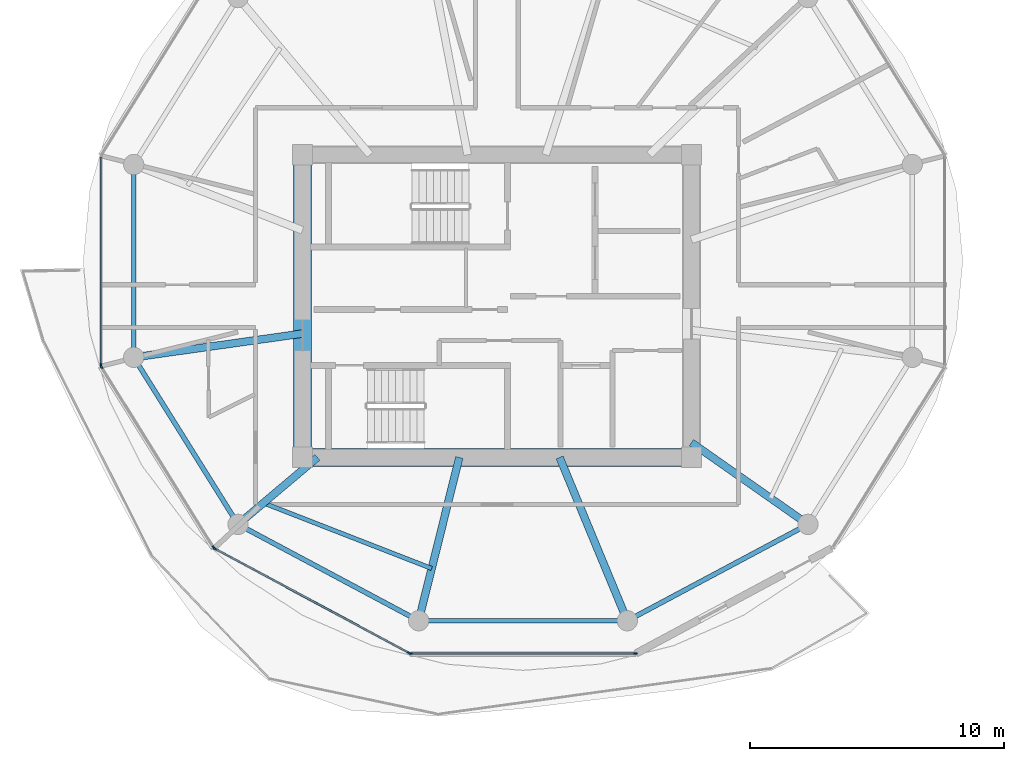
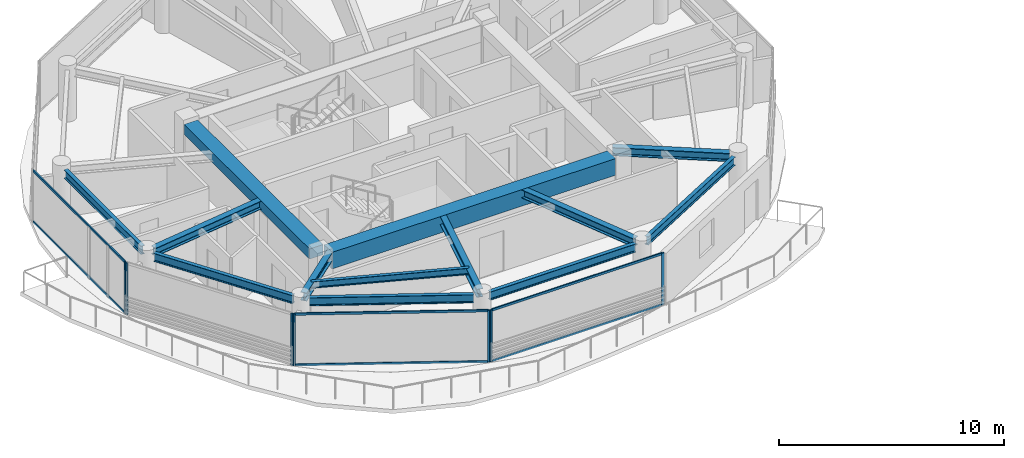
# One storey, part 2 of 23: 13 beams, 13 members, 4 elements without a shape of their own.
"""IFC4 building model written with IfcOpenShell, lengths in metres."""

from ifc_helpers import new_model, si_unit, direction, frame, origin, origin_2d, place, context, subcontext, project, spatial, rectangle, i_section, extrude, source, transform, mapped, material, layer, layer_set, material_profile, profile_set, type_object, type_shapes, element, aggregate, save


model = new_model("IFC4")

# Units and contexts
model_context = context("Model", 3, precision=1e-05, world=origin(), true_north=direction((0.0, 1.0)))
body_context = subcontext(model_context, "Body", "Model", "MODEL_VIEW")
ifc_project = project(units=[si_unit("LENGTHUNIT", "METRE"), si_unit("AREAUNIT", "SQUARE_METRE"), si_unit("VOLUMEUNIT", "CUBIC_METRE"), si_unit("PLANEANGLEUNIT", "RADIAN"), si_unit("MASSUNIT", "GRAM", prefix="KILO")], contexts=[model_context])

# Site, building, storey
site_placement = place(None, origin())
site = spatial("IfcSite", under=ifc_project, at=site_placement, CompositionType="ELEMENT")
building_placement = place(site_placement, origin())
building = spatial("IfcBuilding", under=site, at=building_placement, Name="Norrkilde Senior Care Towers", CompositionType="ELEMENT")
storey_placement = place(building_placement, frame((0.0, 0.0, 173.949951171875)))
storey = spatial("IfcBuildingStorey", under=building, at=storey_placement, Name="L54", CompositionType="ELEMENT", Elevation=173.949951171875)

# Beams
ifc_material_1 = material(Name="Concrete C60/75", Category="concrete")
ifc_material_profile_1 = material_profile(ifc_material_1, rectangle(XDim=0.699951171875, YDim=0.89990234375, at=origin_2d()), Name="RC BM 700x900")
ifc_profile_set_1 = profile_set([ifc_material_profile_1], Name="Concrete C60/75")
beam_type_1 = type_object("IfcBeamType", Name="Core Coupling Girder 700x900", PredefinedType="USERDEFINED", material=ifc_profile_set_1)
shared_shape_1 = source(origin(), body_context, "Body", "SweptSolid", [
    extrude(rectangle(XDim=0.699951171875, YDim=0.89990234375, at=origin_2d()), origin(), (0.0, 0.0, 1.0), 14.5400390625),
])
type_shapes(beam_type_1, [shared_shape_1])
beam_1_placement = place(storey_placement, frame((-35.27001953125, -5.949951171875, 2.360107421875), z_axis=(1.0, 0.0, 0.0), x_axis=(0.0, 1.0, 0.0)))
element("IfcBeam", 1, at=beam_1_placement, inside=storey, type_object=beam_type_1, Name="L54 Core W S Coupling Girder", ObjectType="GIRDER", PredefinedType="USERDEFINED", context=body_context, shape_type="MappedRepresentation", body=[
    mapped(shared_shape_1, transform((0.0, 0.0, 0.0), x_axis=(1.0, 0.0, 0.0), y_axis=(0.0, 1.0, 0.0), z_axis=(0.0, 0.0, 1.0), scale=1.0)),
])
ifc_material_profile_2 = material_profile(ifc_material_1, rectangle(XDim=0.699951171875, YDim=0.550048828125, at=origin_2d()), Name="RC BM 700x550")
ifc_profile_set_2 = profile_set([ifc_material_profile_2], Name="Concrete C60/75")
beam_type_2 = type_object("IfcBeamType", Name="Core Portal Coupling Beam 700x550", PredefinedType="USERDEFINED", material=ifc_profile_set_2)
shared_shape_2 = source(origin(), body_context, "Body", "SweptSolid", [
    extrude(rectangle(XDim=0.699951171875, YDim=0.550048828125, at=origin_2d()), origin(), (0.0, 0.0, 1.0), 11.14013671875),
])
type_shapes(beam_type_2, [shared_shape_2])
beam_2_placement = place(storey_placement, frame((-35.64990234375, -5.570068359375, 2.53515625), z_axis=(0.0, 1.0, 0.0), x_axis=(-1.0, 0.0, 0.0)))
element("IfcBeam", 2, at=beam_2_placement, inside=storey, type_object=beam_type_2, Name="L54 Core W W Coupling Girder", ObjectType="GIRDER", PredefinedType="USERDEFINED", context=body_context, shape_type="MappedRepresentation", body=[
    mapped(shared_shape_2, transform((0.0, 0.0, 0.0), x_axis=(1.0, 0.0, 0.0), y_axis=(0.0, 1.0, 0.0), z_axis=(0.0, 0.0, 1.0), scale=1.0)),
])
ifc_material_2 = material(Name="Steel S355", Category="steel")
ifc_material_profile_3 = material_profile(ifc_material_2, i_section(OverallWidth=0.18994140625, OverallDepth=0.449951171875, WebThickness=0.009521484375, FlangeThickness=0.0146484375, FilletRadius=0.02099609375, at=origin_2d()), Name="IPE 450")
ifc_profile_set_3 = profile_set([ifc_material_profile_3], Name="Steel S355")
beam_type_3 = type_object("IfcBeamType", Name="Perimeter Ring Spandrel Z3 IPE450", PredefinedType="SPANDREL", material=ifc_profile_set_3)
shared_shape_3 = source(origin(), body_context, "Body", "SweptSolid", [
    extrude(i_section(OverallWidth=0.18994140625, OverallDepth=0.449951171875, WebThickness=0.009521484375, FlangeThickness=0.0146484375, FilletRadius=0.02099609375, at=origin_2d()), origin(), (0.0, 0.0, 1.0), 7.484619140625),
])
beam_3_placement = place(storey_placement, frame((-30.71728515625, -12.37548828125, 2.5849609375), z_axis=(1.0, 0.0, 0.0), x_axis=(0.0, 1.0, 0.0)))
element("IfcBeam", 3, at=beam_3_placement, inside=storey, type_object=beam_type_3, Name="L54 Drum W Perimeter Spandrel 09", PredefinedType="SPANDREL", context=body_context, shape_type="MappedRepresentation", body=[
    mapped(shared_shape_3, transform((0.0, 0.0, 0.0), x_axis=(1.0, 0.0, 0.0), y_axis=(0.0, 1.0, 0.0), z_axis=(0.0, 0.0, 1.0), scale=1.0)),
])
shared_shape_4 = source(origin(), body_context, "Body", "SweptSolid", [
    extrude(i_section(OverallWidth=0.18994140625, OverallDepth=0.449951171875, WebThickness=0.009521484375, FlangeThickness=0.0146484375, FilletRadius=0.02099609375, at=origin_2d()), origin(), (0.0, 0.0, 1.0), 6.86328125),
])
beam_4_placement = place(storey_placement, frame((-42.284912109375, 5.20703125, 2.5849609375), z_axis=(0.0, -1.0, 0.0), x_axis=(1.0, 0.0, 0.0)))
element("IfcBeam", 4, at=beam_4_placement, inside=storey, type_object=beam_type_3, Name="L54 Drum W Perimeter Spandrel 06", PredefinedType="SPANDREL", context=body_context, shape_type="MappedRepresentation", body=[
    mapped(shared_shape_4, transform((0.0, 0.0, 0.0), x_axis=(1.0, 0.0, 0.0), y_axis=(0.0, 1.0, 0.0), z_axis=(0.0, 0.0, 1.0), scale=1.0)),
])
shared_shape_5 = source(origin(), body_context, "Body", "SweptSolid", [
    extrude(i_section(OverallWidth=0.18994140625, OverallDepth=0.449951171875, WebThickness=0.009521484375, FlangeThickness=0.0146484375, FilletRadius=0.02099609375, at=origin_2d()), origin(), (0.0, 0.0, 1.0), 7.023193359375),
])
beam_5_placement = place(storey_placement, frame((-42.09423828125, -2.32177734375, 2.5849609375), z_axis=(0.529805197269, -0.848119362441, 0.0), x_axis=(0.848119362441, 0.529805197269, 0.0)))
element("IfcBeam", 5, at=beam_5_placement, inside=storey, type_object=beam_type_3, Name="L54 Drum W Perimeter Spandrel 07", PredefinedType="SPANDREL", context=body_context, shape_type="MappedRepresentation", body=[
    mapped(shared_shape_5, transform((0.0, 0.0, 0.0), x_axis=(1.0, 0.0, 0.0), y_axis=(0.0, 1.0, 0.0), z_axis=(0.0, 0.0, 1.0), scale=1.0)),
])
ifc_material_profile_4 = material_profile(ifc_material_2, i_section(OverallWidth=0.300048828125, OverallDepth=0.449951171875, WebThickness=0.013916015625, FlangeThickness=0.02587890625, FilletRadius=0.027099609375, at=origin_2d()), Name="HEB 450")
ifc_profile_set_4 = profile_set([ifc_material_profile_4], Name="Steel S355")
beam_type_4 = type_object("IfcBeamType", Name="Radial Floor Beam Z3 HEB450", PredefinedType="BEAM", material=ifc_profile_set_4)
shared_shape_6 = source(origin(), body_context, "Body", "SweptSolid", [
    extrude(i_section(OverallWidth=0.300048828125, OverallDepth=0.449951171875, WebThickness=0.013916015625, FlangeThickness=0.02587890625, FilletRadius=0.027099609375, at=origin_2d()), origin(), (0.0, 0.0, 1.0), 6.3408203125),
])
beam_6_placement = place(storey_placement, frame((-35.64990234375, -1.079833984375, 2.5849609375), z_axis=(-0.990184519576, -0.139766294905, 0.0), x_axis=(0.139766294905, -0.990184519576, 0.0)))
element("IfcBeam", 6, at=beam_6_placement, inside=storey, type_object=beam_type_4, Name="L54 Drum W Radial Floor Beam 07", PredefinedType="BEAM", context=body_context, shape_type="MappedRepresentation", body=[
    mapped(shared_shape_6, transform((0.0, 0.0, 0.0), x_axis=(1.0, 0.0, 0.0), y_axis=(0.0, 1.0, 0.0), z_axis=(0.0, 0.0, 1.0), scale=1.0)),
])
shared_shape_7 = source(origin(), body_context, "Body", "SweptSolid", [
    extrude(i_section(OverallWidth=0.18994140625, OverallDepth=0.449951171875, WebThickness=0.009521484375, FlangeThickness=0.0146484375, FilletRadius=0.02099609375, at=origin_2d()), origin(), (0.0, 0.0, 1.0), 7.333984375),
])
type_shapes(beam_type_3, [shared_shape_3, shared_shape_4, shared_shape_5, shared_shape_7])
for number, where, z_axis, x_axis, name in (
    (7, (-37.864990234375, -8.753173828125, 2.5849609375), (0.882234038987, -0.470811109101, 0.0), (0.470811109101, 0.882234038987, 0.0), "L54 Drum W Perimeter Spandrel 08"),
    (8, (-22.55517578125, -12.2060546875, 2.5849609375), (0.882234038987, 0.470811109101, 0.0), (-0.470811109101, 0.882234038987, 0.0), "L54 Drum W Perimeter Spandrel 10"),
):
    element("IfcBeam", number, at=place(storey_placement, frame(where, z_axis=z_axis, x_axis=x_axis)), inside=storey, type_object=beam_type_3, Name=name, PredefinedType="SPANDREL", context=body_context, shape_type="MappedRepresentation", body=[
        mapped(shared_shape_7, transform((0.0, 0.0, 0.0), x_axis=(1.0, 0.0, 0.0), y_axis=(0.0, 1.0, 0.0), z_axis=(0.0, 0.0, 1.0), scale=1.0)),
    ])
shared_shape_8 = source(origin(), body_context, "Body", "SweptSolid", [
    extrude(i_section(OverallWidth=0.300048828125, OverallDepth=0.449951171875, WebThickness=0.013916015625, FlangeThickness=0.02587890625, FilletRadius=0.027099609375, at=origin_2d()), origin(), (0.0, 0.0, 1.0), 3.7265625),
])
beam_7_placement = place(storey_placement, frame((-35.058349609375, -5.949951171875, 2.5849609375), z_axis=(-0.764567902106, -0.644543189453, 0.0), x_axis=(0.644543189453, -0.764567902106, 0.0)))
element("IfcBeam", 9, at=beam_7_placement, inside=storey, type_object=beam_type_4, Name="L54 Drum W Radial Floor Beam 08", PredefinedType="BEAM", context=body_context, shape_type="MappedRepresentation", body=[
    mapped(shared_shape_8, transform((0.0, 0.0, 0.0), x_axis=(1.0, 0.0, 0.0), y_axis=(0.0, 1.0, 0.0), z_axis=(0.0, 0.0, 1.0), scale=1.0)),
])
shared_shape_9 = source(origin(), body_context, "Body", "SweptSolid", [
    extrude(i_section(OverallWidth=0.300048828125, OverallDepth=0.449951171875, WebThickness=0.013916015625, FlangeThickness=0.02587890625, FilletRadius=0.027099609375, at=origin_2d()), origin(), (0.0, 0.0, 1.0), 6.26123046875),
])
beam_8_placement = place(storey_placement, frame((-29.4794921875, -5.949951171875, 2.5849609375), z_axis=(-0.241324375921, -0.970444509277, 0.0), x_axis=(0.970444509277, -0.241324375921, 0.0)))
element("IfcBeam", 10, at=beam_8_placement, inside=storey, type_object=beam_type_4, Name="L54 Drum W Radial Floor Beam 09", PredefinedType="BEAM", context=body_context, shape_type="MappedRepresentation", body=[
    mapped(shared_shape_9, transform((0.0, 0.0, 0.0), x_axis=(1.0, 0.0, 0.0), y_axis=(0.0, 1.0, 0.0), z_axis=(0.0, 0.0, 1.0), scale=1.0)),
])
shared_shape_10 = source(origin(), body_context, "Body", "SweptSolid", [
    extrude(i_section(OverallWidth=0.300048828125, OverallDepth=0.449951171875, WebThickness=0.013916015625, FlangeThickness=0.02587890625, FilletRadius=0.027099609375, at=origin_2d()), origin(), (0.0, 0.0, 1.0), 6.59521484375),
])
beam_9_placement = place(storey_placement, frame((-25.534912109375, -5.949951171875, 2.5849609375), z_axis=(0.382761541363, -0.923847174836, 0.0), x_axis=(0.923847174836, 0.382761541363, 0.0)))
element("IfcBeam", 11, at=beam_9_placement, inside=storey, type_object=beam_type_4, Name="L54 Drum W Radial Floor Beam 10", PredefinedType="BEAM", context=body_context, shape_type="MappedRepresentation", body=[
    mapped(shared_shape_10, transform((0.0, 0.0, 0.0), x_axis=(1.0, 0.0, 0.0), y_axis=(0.0, 1.0, 0.0), z_axis=(0.0, 0.0, 1.0), scale=1.0)),
])
shared_shape_11 = source(origin(), body_context, "Body", "SweptSolid", [
    extrude(i_section(OverallWidth=0.300048828125, OverallDepth=0.449951171875, WebThickness=0.013916015625, FlangeThickness=0.02587890625, FilletRadius=0.027099609375, at=origin_2d()), origin(), (0.0, 0.0, 1.0), 5.23828125),
])
type_shapes(beam_type_4, [shared_shape_6, shared_shape_8, shared_shape_9, shared_shape_10, shared_shape_11])
beam_10_placement = place(storey_placement, frame((-20.35009765625, -5.3681640625, 2.5849609375), z_axis=(0.818592061291, -0.574375345215, 0.0), x_axis=(0.574375345215, 0.818592061291, 0.0)))
element("IfcBeam", 12, at=beam_10_placement, inside=storey, type_object=beam_type_4, Name="L54 Drum W Radial Floor Beam 11", PredefinedType="BEAM", context=body_context, shape_type="MappedRepresentation", body=[
    mapped(shared_shape_11, transform((0.0, 0.0, 0.0), x_axis=(1.0, 0.0, 0.0), y_axis=(0.0, 1.0, 0.0), z_axis=(0.0, 0.0, 1.0), scale=1.0)),
])
ifc_material_profile_5 = material_profile(ifc_material_2, i_section(OverallWidth=0.169921875, OverallDepth=0.360107421875, WebThickness=0.008056640625, FlangeThickness=0.0126953125, FilletRadius=0.01806640625, at=origin_2d()), Name="IPE 360")
ifc_profile_set_5 = profile_set([ifc_material_profile_5], Name="Steel S355")
beam_type_5 = type_object("IfcBeamType", Name="Secondary Floor Joist IPE360", PredefinedType="JOIST", material=ifc_profile_set_5)
shared_shape_12 = source(origin(), body_context, "Body", "SweptSolid", [
    extrude(i_section(OverallWidth=0.169921875, OverallDepth=0.360107421875, WebThickness=0.008056640625, FlangeThickness=0.0126953125, FilletRadius=0.01806640625, at=origin_2d()), origin(), (0.0, 0.0, 1.0), 7.1015625),
])
type_shapes(beam_type_5, [shared_shape_12])
beam_11_placement = place(storey_placement, frame((-37.182861328125, -7.740966796875, 2.630126953125), z_axis=(0.931761231292, -0.363071629106, 0.0), x_axis=(0.363071629106, 0.931761231292, 0.0)))
element("IfcBeam", 13, at=beam_11_placement, inside=storey, type_object=beam_type_5, Name="L54 Drum W Secondary Floor Joist 3", PredefinedType="JOIST", context=body_context, shape_type="MappedRepresentation", body=[
    mapped(shared_shape_12, transform((0.0, 0.0, 0.0), x_axis=(1.0, 0.0, 0.0), y_axis=(0.0, 1.0, 0.0), z_axis=(0.0, 0.0, 1.0), scale=1.0)),
])

# Curtain wall, member
ifc_material_3 = material(Name="Triple Low-E Insulated Glazing", Category="glass")
ifc_layer = layer(ifc_material_3, 0.18994140625)
ifc_layer_set = layer_set([ifc_layer], Name="Triple Low-E Insulated Glazing")
curtain_wall_type = type_object("IfcCurtainWallType", Name="CW4 Zone 3 Senior Residence Curtain Wall", PredefinedType="NOTDEFINED", material=ifc_layer_set)
curtain_wall_1_placement = place(storey_placement, origin())
curtain_wall_1 = element("IfcCurtainWall", 14, at=curtain_wall_1_placement, inside=storey, type_object=curtain_wall_type, Name="L54 Drum W Curtain Wall 05", PredefinedType="NOTDEFINED")
ifc_material_4 = material(Name="Anodised Aluminium", Category="aluminium")
ifc_material_profile_6 = material_profile(ifc_material_4, rectangle(XDim=0.06494140625, YDim=0.14990234375, at=origin_2d()), Name="ALU MULL 65x150")
ifc_profile_set_6 = profile_set([ifc_material_profile_6], Name="Anodised Aluminium")
member_type_1 = type_object("IfcMemberType", Name="Curtain Wall Mullion Z3-Z4 65x150", PredefinedType="MULLION", material=ifc_profile_set_6)
shared_shape_13 = source(origin(), body_context, "Body", "SweptSolid", [
    extrude(rectangle(XDim=0.06494140625, YDim=0.14990234375, at=origin_2d()), origin(), (0.0, 0.0, 1.0), 2.81005859375),
])
type_shapes(member_type_1, [shared_shape_13])
member_1_placement = place(storey_placement, frame((-43.569580078125, -2.328125, 0.0), z_axis=(0.0, 0.0, 1.0), x_axis=(-1.0, 0.0, 0.0)))
member_1 = element("IfcMember", 15, at=member_1_placement, type_object=member_type_1, Name="CW-4 mullion 1", PredefinedType="MULLION", context=body_context, shape_type="MappedRepresentation", body=[
    mapped(shared_shape_13, transform((0.0, 0.0, 0.0), x_axis=(1.0, 0.0, 0.0), y_axis=(0.0, 1.0, 0.0), z_axis=(0.0, 0.0, 1.0), scale=1.0)),
])

# Curtain wall, members
curtain_wall_2_placement = place(storey_placement, origin())
curtain_wall_2 = element("IfcCurtainWall", 16, at=curtain_wall_2_placement, inside=storey, type_object=curtain_wall_type, Name="L54 Drum W Curtain Wall 06", PredefinedType="NOTDEFINED")
member_2_placement = place(storey_placement, frame((-39.14013671875, -9.49658203125, 0.0), z_axis=(0.0, 0.0, 1.0), x_axis=(-0.84963405474, -0.52737270789, 0.0)))
member_2 = element("IfcMember", 17, at=member_2_placement, type_object=member_type_1, Name="CW-4 mullion 1", PredefinedType="MULLION", context=body_context, shape_type="MappedRepresentation", body=[
    mapped(shared_shape_13, transform((0.0, 0.0, 0.0), x_axis=(1.0, 0.0, 0.0), y_axis=(0.0, 1.0, 0.0), z_axis=(0.0, 0.0, 1.0), scale=1.0)),
])
member_3_placement = place(storey_placement, frame((-43.552490234375, -2.38818359375, 0.0), z_axis=(0.0, 0.0, 1.0), x_axis=(-0.84963405474, -0.52737270789, 0.0)))
member_3 = element("IfcMember", 18, at=member_3_placement, type_object=member_type_1, Name="CW-4 mullion 2", PredefinedType="MULLION", context=body_context, shape_type="MappedRepresentation", body=[
    mapped(shared_shape_13, transform((0.0, 0.0, 0.0), x_axis=(1.0, 0.0, 0.0), y_axis=(0.0, 1.0, 0.0), z_axis=(0.0, 0.0, 1.0), scale=1.0)),
])
aggregate(curtain_wall_2, [member_2, member_3])

curtain_wall_3_placement = place(storey_placement, origin())
curtain_wall_3 = element("IfcCurtainWall", 19, at=curtain_wall_3_placement, inside=storey, type_object=curtain_wall_type, Name="L54 Drum W Curtain Wall 07", PredefinedType="NOTDEFINED")
member_4_placement = place(storey_placement, frame((-31.4501953125, -13.644775390625, 0.0), z_axis=(0.0, 0.0, 1.0), x_axis=(-0.47311715104, -0.880999524059, 0.0)))
member_4 = element("IfcMember", 20, at=member_4_placement, type_object=member_type_1, Name="CW-4 mullion 1", PredefinedType="MULLION", context=body_context, shape_type="MappedRepresentation", body=[
    mapped(shared_shape_13, transform((0.0, 0.0, 0.0), x_axis=(1.0, 0.0, 0.0), y_axis=(0.0, 1.0, 0.0), z_axis=(0.0, 0.0, 1.0), scale=1.0)),
])
member_5_placement = place(storey_placement, frame((-39.094482421875, -9.53955078125, 0.0), z_axis=(0.0, 0.0, 1.0), x_axis=(-0.47311715104, -0.880999524059, 0.0)))
member_5 = element("IfcMember", 21, at=member_5_placement, type_object=member_type_1, Name="CW-4 mullion 2", PredefinedType="MULLION", context=body_context, shape_type="MappedRepresentation", body=[
    mapped(shared_shape_13, transform((0.0, 0.0, 0.0), x_axis=(1.0, 0.0, 0.0), y_axis=(0.0, 1.0, 0.0), z_axis=(0.0, 0.0, 1.0), scale=1.0)),
])

curtain_wall_4_placement = place(storey_placement, origin())
curtain_wall_4 = element("IfcCurtainWall", 22, at=curtain_wall_4_placement, inside=storey, type_object=curtain_wall_type, Name="L54 Drum W Curtain Wall 08", PredefinedType="NOTDEFINED")
member_6_placement = place(storey_placement, frame((-22.56103515625, -13.66015625, 0.0), z_axis=(0.0, 0.0, 1.0), x_axis=(0.0, -1.0, 0.0)))
member_6 = element("IfcMember", 23, at=member_6_placement, type_object=member_type_1, Name="CW-4 mullion 1", PredefinedType="MULLION", context=body_context, shape_type="MappedRepresentation", body=[
    mapped(shared_shape_13, transform((0.0, 0.0, 0.0), x_axis=(1.0, 0.0, 0.0), y_axis=(0.0, 1.0, 0.0), z_axis=(0.0, 0.0, 1.0), scale=1.0)),
])
member_7_placement = place(storey_placement, frame((-31.388916015625, -13.66015625, 0.0), z_axis=(0.0, 0.0, 1.0), x_axis=(0.0, -1.0, 0.0)))
member_7 = element("IfcMember", 24, at=member_7_placement, type_object=member_type_1, Name="CW-4 mullion 2", PredefinedType="MULLION", context=body_context, shape_type="MappedRepresentation", body=[
    mapped(shared_shape_13, transform((0.0, 0.0, 0.0), x_axis=(1.0, 0.0, 0.0), y_axis=(0.0, 1.0, 0.0), z_axis=(0.0, 0.0, 1.0), scale=1.0)),
])
ifc_material_profile_7 = material_profile(ifc_material_4, rectangle(XDim=0.06005859375, YDim=0.1201171875, at=origin_2d()), Name="ALU TRAN 60x120")
ifc_profile_set_7 = profile_set([ifc_material_profile_7], Name="Anodised Aluminium")
member_type_2 = type_object("IfcMemberType", Name="Curtain Wall Transom Typical 60x120", PredefinedType="USERDEFINED", material=ifc_profile_set_7)
shared_shape_14 = source(origin(), body_context, "Body", "SweptSolid", [
    extrude(rectangle(XDim=0.06005859375, YDim=0.1201171875, at=origin_2d()), origin(), (0.0, 0.0, 1.0), 8.762939453125),
])
member_8_placement = place(storey_placement, frame((-22.593505859375, -13.66015625, 0.030029296875), z_axis=(-1.0, 0.0, 0.0), x_axis=(0.0, -1.0, 0.0)))
member_8 = element("IfcMember", 25, at=member_8_placement, type_object=member_type_2, Name="CW-4 transom 1.1", ObjectType="TRANSOM", PredefinedType="USERDEFINED", context=body_context, shape_type="MappedRepresentation", body=[
    mapped(shared_shape_14, transform((0.0, 0.0, 0.0), x_axis=(1.0, 0.0, 0.0), y_axis=(0.0, 1.0, 0.0), z_axis=(0.0, 0.0, 1.0), scale=1.0)),
])
member_9_placement = place(storey_placement, frame((-22.593505859375, -13.66015625, 2.780029296875), z_axis=(-1.0, 0.0, 0.0), x_axis=(0.0, -1.0, 0.0)))
member_9 = element("IfcMember", 26, at=member_9_placement, type_object=member_type_2, Name="CW-4 transom 1.2", ObjectType="TRANSOM", PredefinedType="USERDEFINED", context=body_context, shape_type="MappedRepresentation", body=[
    mapped(shared_shape_14, transform((0.0, 0.0, 0.0), x_axis=(1.0, 0.0, 0.0), y_axis=(0.0, 1.0, 0.0), z_axis=(0.0, 0.0, 1.0), scale=1.0)),
])
aggregate(curtain_wall_4, [member_6, member_7, member_8, member_9])

# Member
shared_shape_15 = source(origin(), body_context, "Body", "SweptSolid", [
    extrude(rectangle(XDim=0.06005859375, YDim=0.1201171875, at=origin_2d()), origin(), (0.0, 0.0, 1.0), 8.612060546875),
])
member_10_placement = place(storey_placement, frame((-31.478759765625, -13.62939453125, 0.030029296875), z_axis=(-0.881000337462, 0.473115636384, 0.0), x_axis=(-0.473115636384, -0.881000337462, 0.0)))
member_10 = element("IfcMember", 27, at=member_10_placement, type_object=member_type_2, Name="CW-4 transom 1.1", ObjectType="TRANSOM", PredefinedType="USERDEFINED", context=body_context, shape_type="MappedRepresentation", body=[
    mapped(shared_shape_15, transform((0.0, 0.0, 0.0), x_axis=(1.0, 0.0, 0.0), y_axis=(0.0, 1.0, 0.0), z_axis=(0.0, 0.0, 1.0), scale=1.0)),
])

member_11_placement = place(storey_placement, frame((-31.478759765625, -13.62939453125, 2.780029296875), z_axis=(-0.881000337462, 0.473115636384, 0.0), x_axis=(-0.473115636384, -0.881000337462, 0.0)))
member_11 = element("IfcMember", 28, at=member_11_placement, type_object=member_type_2, Name="CW-4 transom 1.2", ObjectType="TRANSOM", PredefinedType="USERDEFINED", context=body_context, shape_type="MappedRepresentation", body=[
    mapped(shared_shape_15, transform((0.0, 0.0, 0.0), x_axis=(1.0, 0.0, 0.0), y_axis=(0.0, 1.0, 0.0), z_axis=(0.0, 0.0, 1.0), scale=1.0)),
])

aggregate(curtain_wall_3, [member_4, member_5, member_10, member_11])

shared_shape_16 = source(origin(), body_context, "Body", "SweptSolid", [
    extrude(rectangle(XDim=0.06005859375, YDim=0.1201171875, at=origin_2d()), origin(), (0.0, 0.0, 1.0), 8.141845703125),
])
type_shapes(member_type_2, [shared_shape_14, shared_shape_15, shared_shape_16])
member_12_placement = place(storey_placement, frame((-43.569580078125, -2.295654296875, 0.030029296875), z_axis=(0.0, 1.0, 0.0), x_axis=(-1.0, 0.0, 0.0)))
member_12 = element("IfcMember", 29, at=member_12_placement, type_object=member_type_2, Name="CW-4 transom 1.1", ObjectType="TRANSOM", PredefinedType="USERDEFINED", context=body_context, shape_type="MappedRepresentation", body=[
    mapped(shared_shape_16, transform((0.0, 0.0, 0.0), x_axis=(1.0, 0.0, 0.0), y_axis=(0.0, 1.0, 0.0), z_axis=(0.0, 0.0, 1.0), scale=1.0)),
])

member_13_placement = place(storey_placement, frame((-43.569580078125, -2.295654296875, 2.780029296875), z_axis=(0.0, 1.0, 0.0), x_axis=(-1.0, 0.0, 0.0)))
member_13 = element("IfcMember", 30, at=member_13_placement, type_object=member_type_2, Name="CW-4 transom 1.2", ObjectType="TRANSOM", PredefinedType="USERDEFINED", context=body_context, shape_type="MappedRepresentation", body=[
    mapped(shared_shape_16, transform((0.0, 0.0, 0.0), x_axis=(1.0, 0.0, 0.0), y_axis=(0.0, 1.0, 0.0), z_axis=(0.0, 0.0, 1.0), scale=1.0)),
])

aggregate(curtain_wall_1, [member_1, member_12, member_13])

save(model, "model.ifc")
